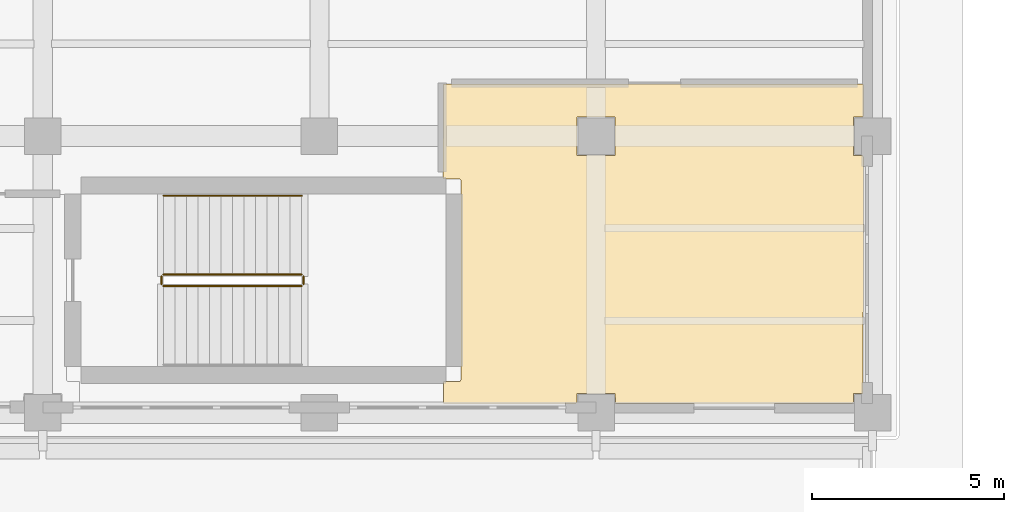
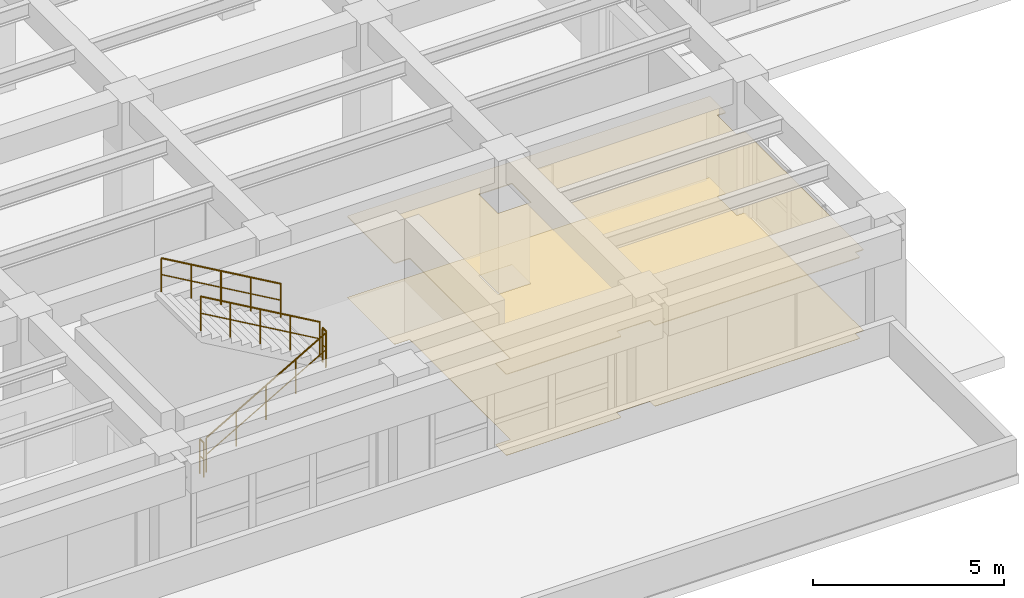
# One storey, part 56 of 64: 5 railings, 2 coverings.
"""IFC4 building model written with IfcOpenShell, lengths in metres."""

from ifc_helpers import new_model, si_unit, direction, frame, origin, origin_2d, place, context, subcontext, project, spatial, polyline, circle, outline, extrude, material, layer, layer_set, type_object, element, save


model = new_model("IFC4")

# Units and contexts
model_context = context("Model", 3, precision=1e-05, world=origin(), true_north=direction((0.0, 1.0)))
body_context = subcontext(model_context, "Body", "Model", "MODEL_VIEW")
ifc_project = project(units=[si_unit("LENGTHUNIT", "METRE"), si_unit("AREAUNIT", "SQUARE_METRE"), si_unit("VOLUMEUNIT", "CUBIC_METRE"), si_unit("PLANEANGLEUNIT", "RADIAN"), si_unit("MASSUNIT", "GRAM", prefix="KILO")], contexts=[model_context])

# Site, building, storey
site_placement = place(None, origin())
site = spatial("IfcSite", under=ifc_project, at=site_placement, CompositionType="ELEMENT")
building_placement = place(site_placement, origin())
building = spatial("IfcBuilding", under=site, at=building_placement, Name="Solenvale Faculty of Natural Sciences", CompositionType="ELEMENT")
storey_placement = place(building_placement, origin())
storey = spatial("IfcBuildingStorey", under=building, at=storey_placement, Name="L00", CompositionType="ELEMENT", Elevation=0.0)

# Coverings
ifc_material_1 = material(Name="Acoustic mineral-timber ceiling", Category="wood")
ifc_layer_1 = layer(ifc_material_1, 0.02490234375)
ifc_layer_set_1 = layer_set([ifc_layer_1], Name="Acoustic mineral-timber ceiling")
covering_type_1 = type_object("IfcCoveringType", Name="COV-CEIL-AC25", PredefinedType="CEILING", material=ifc_layer_set_1)
covering_1_placement = place(storey_placement, frame((0.0, 0.0, 2.574951171875)))
element("IfcCovering", 1, at=covering_1_placement, inside=storey, type_object=covering_type_1, Name="L00 Analytical Chemistry Laboratory Acoustic Ceiling", PredefinedType="CEILING", context=body_context, shape_type="SweptSolid", body=[
    extrude(outline(polyline([(108.530029296875, 21.840087890625), (108.5009765625, 21.864013671875), (108.5, 22.089111328125), (108.489013671875, 22.10009765625), (107.507080078125, 22.10009765625), (107.5, 21.866943359375), (107.472900390625, 21.840087890625), (104.050048828125, 21.840087890625), (104.02392578125, 21.85595703125), (104.027099609375, 22.408935546875), (104.050048828125, 22.419921875), (104.451904296875, 22.419921875), (104.471923828125, 22.429931640625), (104.47998046875, 22.449951171875), (104.47998046875, 27.652099609375), (104.4541015625, 27.679931640625), (104.047119140625, 27.679931640625), (104.02099609375, 27.7041015625), (104.027099609375, 30.14892578125), (104.050048828125, 30.159912109375), (114.948974609375, 30.153076171875), (114.9599609375, 30.1298828125), (114.958984375, 29.321044921875), (114.93310546875, 29.300048828125), (114.7109375, 29.300048828125), (114.699951171875, 29.291015625), (114.699951171875, 28.31103515625), (114.7109375, 28.300048828125), (114.93603515625, 28.299072265625), (114.9599609375, 28.27001953125), (114.952880859375, 22.111083984375), (114.93310546875, 22.10009765625), (114.702880859375, 22.096923828125), (114.699951171875, 21.866943359375), (114.669921875, 21.840087890625), (108.530029296875, 21.840087890625)]), holes=[polyline([(107.510986328125, 29.300048828125), (107.5, 29.2890625), (107.5029296875, 28.302978515625), (108.4970703125, 28.302978515625), (108.4970703125, 29.297119140625), (107.510986328125, 29.300048828125)])]), origin(), (0.0, 0.0, 1.0), 0.025146484375),
])
ifc_material_2 = material(Name="Seamless laboratory vinyl flooring")
ifc_layer_2 = layer(ifc_material_2, 0.008056640625)
ifc_layer_set_2 = layer_set([ifc_layer_2], Name="Seamless laboratory vinyl flooring")
covering_type_2 = type_object("IfcCoveringType", Name="COV-FLR-VNL08", PredefinedType="FLOORING", material=ifc_layer_set_2)
covering_2_placement = place(storey_placement, origin())
element("IfcCovering", 2, at=covering_2_placement, inside=storey, type_object=covering_type_2, Name="L00 Analytical Chemistry Laboratory Floor Finish", PredefinedType="FLOORING", context=body_context, shape_type="SweptSolid", body=[
    extrude(outline(polyline([(108.530029296875, 21.840087890625), (108.5009765625, 21.864013671875), (108.5, 22.089111328125), (108.489013671875, 22.10009765625), (107.507080078125, 22.10009765625), (107.5, 21.866943359375), (107.472900390625, 21.840087890625), (104.050048828125, 21.840087890625), (104.02392578125, 21.85595703125), (104.027099609375, 22.408935546875), (104.050048828125, 22.419921875), (104.451904296875, 22.419921875), (104.471923828125, 22.429931640625), (104.47998046875, 22.449951171875), (104.47998046875, 27.652099609375), (104.4541015625, 27.679931640625), (104.047119140625, 27.679931640625), (104.02099609375, 27.7041015625), (104.027099609375, 30.14892578125), (104.050048828125, 30.159912109375), (114.948974609375, 30.153076171875), (114.9599609375, 30.1298828125), (114.958984375, 29.321044921875), (114.93310546875, 29.300048828125), (114.7109375, 29.300048828125), (114.699951171875, 29.291015625), (114.699951171875, 28.31103515625), (114.7109375, 28.300048828125), (114.93603515625, 28.299072265625), (114.9599609375, 28.27001953125), (114.952880859375, 22.111083984375), (114.93310546875, 22.10009765625), (114.702880859375, 22.096923828125), (114.699951171875, 21.866943359375), (114.669921875, 21.840087890625), (108.530029296875, 21.840087890625)]), holes=[polyline([(107.510986328125, 29.300048828125), (107.5, 29.2890625), (107.5029296875, 28.302978515625), (108.4970703125, 28.302978515625), (108.4970703125, 29.297119140625), (107.510986328125, 29.300048828125)])]), origin(), (0.0, 0.0, 1.0), 0.008056640625),
])

# Railings
ifc_material_3 = material(Name="Stainless steel Grade 304", Category="steel")
railing_type_1 = type_object("IfcRailingType", Name="RL-GRD-1100", PredefinedType="GUARDRAIL", material=ifc_material_3)
railing_1_placement = place(storey_placement, frame((96.739990234375, 24.89990234375, 0.173095703125)))
element("IfcRailing", 3, at=railing_1_placement, inside=storey, type_object=railing_type_1, Name="L00 ST-07 stair guard 1", PredefinedType="GUARDRAIL", context=body_context, shape_type="SweptSolid", body=[
    extrude(circle(Radius=0.02392578125, at=origin_2d()), frame((0.0, 0.0, 1.09619140625), z_axis=(0.866193409371, 0.0, 0.499708892819), x_axis=(0.0, 1.0, 0.0)), (0.0, 0.0, 1.0), 4.15625),
    extrude(circle(Radius=0.01611328125, at=origin_2d()), frame((0.0, 0.0, 0.56005859375), z_axis=(0.866193409371, 0.0, 0.499708892819), x_axis=(0.0, 1.0, 0.0)), (0.0, 0.0, 1.0), 4.15625),
    extrude(circle(Radius=0.02099609375, at=origin_2d()), origin(), (0.0, 0.0, 1.0), 1.072021484375),
    extrude(circle(Radius=0.02099609375, at=origin_2d()), frame((0.89990234375, 0.0, 0.519287109375)), (0.0, 0.0, 1.0), 1.072021484375),
    extrude(circle(Radius=0.02099609375, at=origin_2d()), frame((1.800048828125, 0.0, 1.03857421875)), (0.0, 0.0, 1.0), 1.072021484375),
    extrude(circle(Radius=0.02099609375, at=origin_2d()), frame((2.7001953125, 0.0, 1.5576171875)), (0.0, 0.0, 1.0), 1.072021484375),
    extrude(circle(Radius=0.02099609375, at=origin_2d()), frame((3.60009765625, 0.0, 2.076904296875)), (0.0, 0.0, 1.0), 1.072021484375),
])
railing_2_placement = place(storey_placement, frame((100.389892578125, 24.949951171875, 2.25)))
element("IfcRailing", 4, at=railing_2_placement, inside=storey, type_object=railing_type_1, Name="L00 ST-07 stair guard 2", PredefinedType="GUARDRAIL", context=body_context, shape_type="SweptSolid", body=[
    extrude(circle(Radius=0.02392578125, at=origin_2d()), frame((0.0, 0.0, 1.09619140625), z_axis=(0.0, 1.0, 0.0), x_axis=(-1.0, 0.0, 0.0)), (0.0, 0.0, 1.0), 0.199951171875),
    extrude(circle(Radius=0.01611328125, at=origin_2d()), frame((0.0, 0.0, 0.56005859375), z_axis=(0.0, 1.0, 0.0), x_axis=(-1.0, 0.0, 0.0)), (0.0, 0.0, 1.0), 0.199951171875),
    extrude(circle(Radius=0.02099609375, at=origin_2d()), origin(), (0.0, 0.0, 1.0), 1.072021484375),
    extrude(circle(Radius=0.02099609375, at=origin_2d()), frame((0.0, 0.199951171875, 0.0)), (0.0, 0.0, 1.0), 1.072021484375),
])
railing_3_placement = place(storey_placement, frame((100.340087890625, 25.199951171875, 2.423095703125)))
element("IfcRailing", 5, at=railing_3_placement, inside=storey, type_object=railing_type_1, Name="L00 ST-07 stair guard 3", PredefinedType="GUARDRAIL", context=body_context, shape_type="SweptSolid", body=[
    extrude(circle(Radius=0.02392578125, at=origin_2d()), frame((0.0, 0.0, 1.09619140625), z_axis=(-0.866193409371, 0.0, 0.499708892819), x_axis=(0.0, -1.0, 0.0)), (0.0, 0.0, 1.0), 4.15625),
    extrude(circle(Radius=0.01611328125, at=origin_2d()), frame((0.0, 0.0, 0.56005859375), z_axis=(-0.866193409371, 0.0, 0.499708892819), x_axis=(0.0, -1.0, 0.0)), (0.0, 0.0, 1.0), 4.15625),
    extrude(circle(Radius=0.02099609375, at=origin_2d()), origin(), (0.0, 0.0, 1.0), 1.072021484375),
    extrude(circle(Radius=0.02099609375, at=origin_2d()), frame((-0.89990234375, 0.0, 0.519287109375)), (0.0, 0.0, 1.0), 1.072021484375),
    extrude(circle(Radius=0.02099609375, at=origin_2d()), frame((-1.800048828125, 0.0, 1.03857421875)), (0.0, 0.0, 1.0), 1.072021484375),
    extrude(circle(Radius=0.02099609375, at=origin_2d()), frame((-2.7001953125, 0.0, 1.5576171875)), (0.0, 0.0, 1.0), 1.072021484375),
    extrude(circle(Radius=0.02099609375, at=origin_2d()), frame((-3.60009765625, 0.0, 2.076904296875)), (0.0, 0.0, 1.0), 1.072021484375),
])
railing_4_placement = place(storey_placement, frame((96.68994140625, 24.949951171875, 0.0)))
element("IfcRailing", 6, at=railing_4_placement, inside=storey, type_object=railing_type_1, Name="L00 ST-07 stair guard 4", PredefinedType="GUARDRAIL", context=body_context, shape_type="SweptSolid", body=[
    extrude(circle(Radius=0.02392578125, at=origin_2d()), frame((0.0, 0.0, 1.09619140625), z_axis=(0.0, 1.0, 0.0), x_axis=(-1.0, 0.0, 0.0)), (0.0, 0.0, 1.0), 0.199951171875),
    extrude(circle(Radius=0.01611328125, at=origin_2d()), frame((0.0, 0.0, 0.56005859375), z_axis=(0.0, 1.0, 0.0), x_axis=(-1.0, 0.0, 0.0)), (0.0, 0.0, 1.0), 0.199951171875),
    extrude(circle(Radius=0.02099609375, at=origin_2d()), origin(), (0.0, 0.0, 1.0), 1.072021484375),
    extrude(circle(Radius=0.02099609375, at=origin_2d()), frame((0.0, 0.199951171875, 0.0)), (0.0, 0.0, 1.0), 1.072021484375),
])
railing_type_2 = type_object("IfcRailingType", Name="RL-HND-900", PredefinedType="HANDRAIL", material=ifc_material_3)
railing_5_placement = place(storey_placement, frame((100.340087890625, 27.25, 2.423095703125)))
element("IfcRailing", 7, at=railing_5_placement, inside=storey, type_object=railing_type_2, Name="L00 ST-07 stair handrail 2", PredefinedType="HANDRAIL", context=body_context, shape_type="SweptSolid", body=[
    extrude(circle(Radius=0.02392578125, at=origin_2d()), frame((0.0, 0.0, 1.0732421875), z_axis=(-0.866193409371, 0.0, 0.499708892819), x_axis=(0.0, -1.0, 0.0)), (0.0, 0.0, 1.0), 4.15625),
    extrude(circle(Radius=0.01611328125, at=origin_2d()), frame((0.0, 0.0, 0.548583984375), z_axis=(-0.866193409371, 0.0, 0.499708892819), x_axis=(0.0, -1.0, 0.0)), (0.0, 0.0, 1.0), 4.15625),
    extrude(circle(Radius=0.02099609375, at=origin_2d()), origin(), (0.0, 0.0, 1.0), 1.049072265625),
    extrude(circle(Radius=0.02099609375, at=origin_2d()), frame((-0.89990234375, 0.0, 0.519287109375)), (0.0, 0.0, 1.0), 1.049072265625),
    extrude(circle(Radius=0.02099609375, at=origin_2d()), frame((-1.800048828125, 0.0, 1.03857421875)), (0.0, 0.0, 1.0), 1.049072265625),
    extrude(circle(Radius=0.02099609375, at=origin_2d()), frame((-2.7001953125, 0.0, 1.5576171875)), (0.0, 0.0, 1.0), 1.049072265625),
    extrude(circle(Radius=0.02099609375, at=origin_2d()), frame((-3.60009765625, 0.0, 2.076904296875)), (0.0, 0.0, 1.0), 1.049072265625),
])

save(model, "model.ifc")
